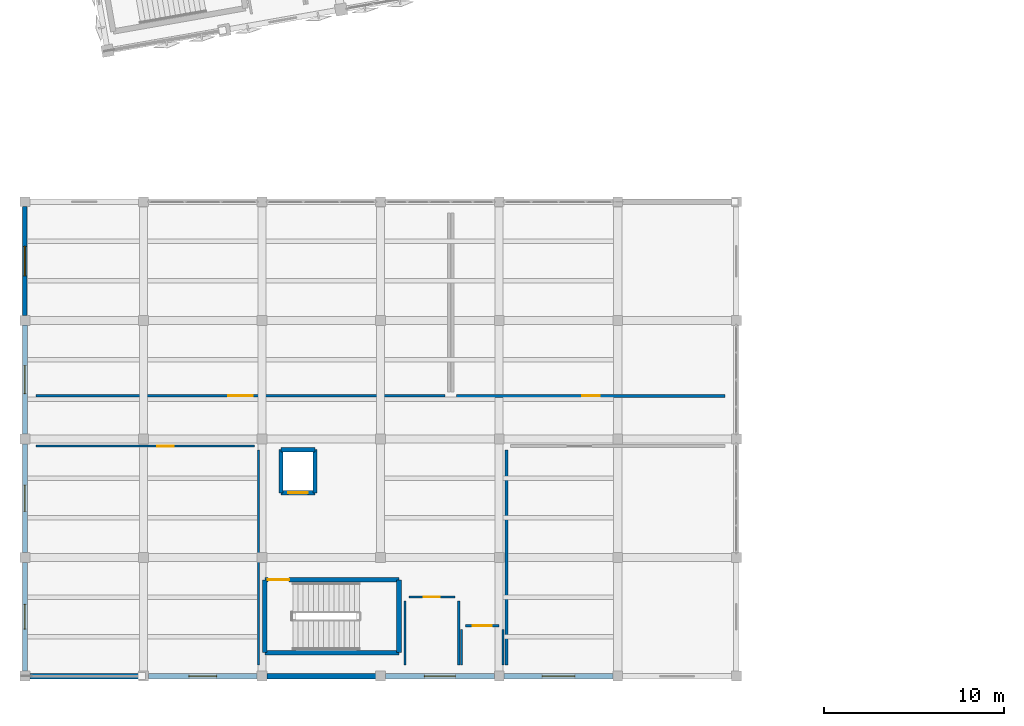
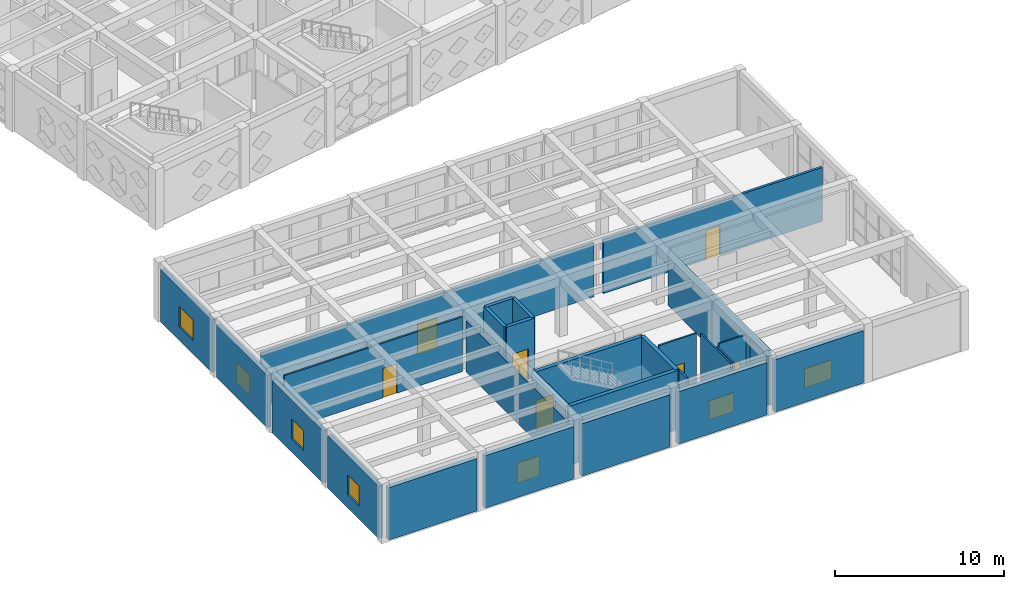
# One storey, part 36 of 48: 28 walls, 7 doors, 7 windows, 14 openings.
"""IFC4 building model written with IfcOpenShell, lengths in metres."""

from ifc_helpers import new_model, si_unit, direction, frame, frame_2d, origin, place, context, subcontext, project, spatial, rectangle, extrude, material, layer, layer_set, type_object, element, fill, save


model = new_model("IFC4")

# Units and contexts
model_context = context("Model", 3, precision=1e-05, world=origin(), true_north=direction((0.0, 1.0)))
body_context = subcontext(model_context, "Body", "Model", "MODEL_VIEW")
ifc_project = project(units=[si_unit("LENGTHUNIT", "METRE"), si_unit("AREAUNIT", "SQUARE_METRE"), si_unit("VOLUMEUNIT", "CUBIC_METRE"), si_unit("PLANEANGLEUNIT", "RADIAN"), si_unit("MASSUNIT", "GRAM", prefix="KILO")], contexts=[model_context])

# Site, building, storey
site_placement = place(None, origin())
site = spatial("IfcSite", under=ifc_project, at=site_placement, CompositionType="ELEMENT")
building_placement = place(site_placement, origin())
building = spatial("IfcBuilding", under=site, at=building_placement, Name="Kharisveld Research Institute", CompositionType="ELEMENT")
storey_placement = place(building_placement, frame((0.0, 0.0, 14.10009765625)))
storey = spatial("IfcBuildingStorey", under=building, at=storey_placement, Name="L03", CompositionType="ELEMENT", Elevation=14.10009765625)

# Wall, opening, door
ifc_material_1 = material(Name="Flush Pharmaceutical Panel", Category="mineral")
ifc_layer_1 = layer(ifc_material_1, 0.155029296875)
ifc_layer_set_1 = layer_set([ifc_layer_1], Name="WL_CLN_155")
wall_type_1 = type_object("IfcWallType", Name="WL_CLN_155", PredefinedType="PARTITIONING", material=ifc_layer_set_1)
wall_1_placement = place(storey_placement, frame((1.219970703125, 15.800048828125, 0.0), z_axis=(0.0, 0.0, 1.0), x_axis=(1.0, 0.0, 0.0)))
wall_1 = element("IfcWall", 1, at=wall_1_placement, inside=storey, type_object=wall_type_1, Name="WL:RM:V3:L03:CR7:S", PredefinedType="PARTITIONING", context=body_context, shape_type="SweptSolid", body=[
    extrude(rectangle(XDim=22.760009765625, YDim=0.155029296875, at=frame_2d((11.3798828125, 0.0))), origin(), (0.0, 0.0, 1.0), 3.885009765625),
])
opening_1_placement = place(wall_1_placement, frame((10.7099609375, 0.0, 0.0)))
opening_1 = element("IfcOpeningElement", 2, at=opening_1_placement, cuts=wall_1, Name="Opening DI-290", PredefinedType="OPENING", context=body_context, shape_type="SweptSolid", body=[
    extrude(rectangle(XDim=1.340087890625, YDim=2.199951171875, at=frame_2d((0.669921875, 1.10009765625))), frame((0.0, 0.07763671875, 0.0), z_axis=(0.0, -1.0, 0.0), x_axis=(1.0, 0.0, 0.0)), (0.0, 0.0, 1.0), 0.155029296875),
])
ifc_material_2 = material(Name="Flush Painted Hardwood and Anodised Aluminium", Category="wood")
door_type_1 = type_object("IfcDoorType", Name="DR_CLN_134", OperationType="SLIDING_TO_RIGHT", PredefinedType="DOOR", material=ifc_material_2)
door_1_placement = place(opening_1_placement, origin())
door_1 = element("IfcDoor", 3, at=door_1_placement, inside=storey, type_object=door_type_1, Name="DR:RM:V3:L03:CR7:S", OperationType="SLIDING_TO_RIGHT", OverallHeight=2.199951171875, OverallWidth=1.340087890625, PredefinedType="DOOR", context=body_context, shape_type="SweptSolid", body=[
    extrude(rectangle(XDim=1.340087890625, YDim=2.199951171875, at=frame_2d((0.669921875, 1.10009765625))), frame((0.0, 0.02490234375, 0.0), z_axis=(0.0, -1.0, 0.0), x_axis=(1.0, 0.0, 0.0)), (0.0, 0.0, 1.0), 0.050048828125),
])
fill(opening_1, door_1)

# Walls
ifc_material_3 = material(Name="Concrete C40/50", Category="concrete")
ifc_layer_2 = layer(ifc_material_3, 0.239990234375)
ifc_layer_set_2 = layer_set([ifc_layer_2], Name="WL_CORE_240")
wall_type_2 = type_object("IfcWallType", Name="WL_CORE_240", PredefinedType="SHEAR", material=ifc_layer_set_2)
wall_2_placement = place(storey_placement, frame((14.85009765625, 10.39990234375, 0.0), z_axis=(0.0, 0.0, 1.0), x_axis=(0.0, 1.0, 0.0)))
element("IfcWall", 4, at=wall_2_placement, inside=storey, type_object=wall_type_2, Name="WL:LFT:PL-03:L03:W", PredefinedType="SHEAR", context=body_context, shape_type="SweptSolid", body=[
    extrude(rectangle(XDim=2.400146484375, YDim=0.239990234375, at=frame_2d((1.2001953125, 0.0))), origin(), (0.0, 0.0, 1.0), 4.27978515625),
])
wall_3_placement = place(storey_placement, frame((14.85009765625, 12.800048828125, 0.0), z_axis=(0.0, 0.0, 1.0), x_axis=(1.0, 0.0, 0.0)))
element("IfcWall", 5, at=wall_3_placement, inside=storey, type_object=wall_type_2, Name="WL:LFT:PL-03:L03:N", PredefinedType="SHEAR", context=body_context, shape_type="SweptSolid", body=[
    extrude(rectangle(XDim=1.89990234375, YDim=0.239990234375, at=frame_2d((0.949951171875, 0.0))), origin(), (0.0, 0.0, 1.0), 4.27978515625),
])
wall_4_placement = place(storey_placement, frame((16.75, 12.800048828125, 0.0), z_axis=(0.0, 0.0, 1.0), x_axis=(0.0, -1.0, 0.0)))
element("IfcWall", 6, at=wall_4_placement, inside=storey, type_object=wall_type_2, Name="WL:LFT:PL-03:L03:E", PredefinedType="SHEAR", context=body_context, shape_type="SweptSolid", body=[
    extrude(rectangle(XDim=2.400146484375, YDim=0.239990234375, at=frame_2d((1.2001953125, 0.0))), origin(), (0.0, 0.0, 1.0), 4.27978515625),
])

# Wall, opening, door
wall_5_placement = place(storey_placement, frame((16.75, 10.39990234375, 0.0), z_axis=(0.0, 0.0, 1.0), x_axis=(-1.0, 0.0, 0.0)))
wall_5 = element("IfcWall", 7, at=wall_5_placement, inside=storey, type_object=wall_type_2, Name="WL:LFT:PL-03:L03:S", PredefinedType="SHEAR", context=body_context, shape_type="SweptSolid", body=[
    extrude(rectangle(XDim=1.89990234375, YDim=0.239990234375, at=frame_2d((0.949951171875, 0.0))), origin(), (0.0, 0.0, 1.0), 4.27978515625),
])
opening_2_placement = place(wall_5_placement, frame((0.39990234375, 0.0, 0.0)))
opening_2 = element("IfcOpeningElement", 8, at=opening_2_placement, cuts=wall_5, Name="Opening LD-01", PredefinedType="OPENING", context=body_context, shape_type="SweptSolid", body=[
    extrude(rectangle(XDim=1.10009765625, YDim=2.199951171875, at=frame_2d((0.550048828125, 1.10009765625))), frame((0.0, 0.1201171875, 0.0), z_axis=(0.0, -1.0, 0.0), x_axis=(1.0, 0.0, 0.0)), (0.0, 0.0, 1.0), 0.239990234375),
])
ifc_material_4 = material(Name="Flush Painted Hardwood and Anodised Aluminium", Category="wood")
door_type_2 = type_object("IfcDoorType", Name="DR_LFT_110", OperationType="SLIDING_TO_LEFT", PredefinedType="DOOR", material=ifc_material_4)
door_2_placement = place(opening_2_placement, origin())
door_2 = element("IfcDoor", 9, at=door_2_placement, inside=storey, type_object=door_type_2, Name="PL-03 Lift Landing Door L03", OperationType="SLIDING_TO_LEFT", OverallHeight=2.199951171875, OverallWidth=1.10009765625, PredefinedType="DOOR", context=body_context, shape_type="SweptSolid", body=[
    extrude(rectangle(XDim=1.10009765625, YDim=2.199951171875, at=frame_2d((0.550048828125, 1.10009765625))), frame((0.0, 0.02490234375, 0.0), z_axis=(0.0, -1.0, 0.0), x_axis=(1.0, 0.0, 0.0)), (0.0, 0.0, 1.0), 0.050048828125),
])
fill(opening_2, door_2)

# Wall
ifc_material_5 = material(Name="Concrete C40/50", Category="concrete")
ifc_layer_3 = layer(ifc_material_5, 0.27001953125)
ifc_layer_set_3 = layer_set([ifc_layer_3], Name="WL_CORE_270")
wall_type_3 = type_object("IfcWallType", Name="WL_CORE_270", PredefinedType="SHEAR", material=ifc_layer_set_3)
wall_6_placement = place(storey_placement, frame((13.949951171875, 1.5, 0.0), z_axis=(0.0, 0.0, 1.0), x_axis=(0.0, 1.0, 0.0)))
element("IfcWall", 10, at=wall_6_placement, inside=storey, type_object=wall_type_3, Name="WL:STR:ST4:L03:W", PredefinedType="SHEAR", context=body_context, shape_type="SweptSolid", body=[
    extrude(rectangle(XDim=4.06005859375, YDim=0.27001953125, at=frame_2d((2.030029296875, 0.0))), origin(), (0.0, 0.0, 1.0), 4.27978515625),
])

# Wall, opening, door
wall_7_placement = place(storey_placement, frame((13.949951171875, 5.56005859375, 0.0), z_axis=(0.0, 0.0, 1.0), x_axis=(1.0, 0.0, 0.0)))
wall_7 = element("IfcWall", 11, at=wall_7_placement, inside=storey, type_object=wall_type_3, Name="WL:STR:ST4:L03:N", PredefinedType="SHEAR", context=body_context, shape_type="SweptSolid", body=[
    extrude(rectangle(XDim=7.469970703125, YDim=0.27001953125, at=frame_2d((3.73486328125, 0.0))), origin(), (0.0, 0.0, 1.0), 4.27978515625),
])
opening_3_placement = place(wall_7_placement, frame((0.179931640625, 0.0, 0.0)))
opening_3 = element("IfcOpeningElement", 12, at=opening_3_placement, cuts=wall_7, Name="Opening DS-040", PredefinedType="OPENING", context=body_context, shape_type="SweptSolid", body=[
    extrude(rectangle(XDim=1.179931640625, YDim=2.14990234375, at=frame_2d((0.58984375, 1.074951171875))), frame((0.0, 0.135009765625, 0.0), z_axis=(0.0, -1.0, 0.0), x_axis=(1.0, 0.0, 0.0)), (0.0, 0.0, 1.0), 0.27001953125),
])
ifc_material_6 = material(Name="Flush Painted Hardwood and Anodised Aluminium", Category="wood")
door_type_3 = type_object("IfcDoorType", Name="DR_FD60_118", OperationType="NOTDEFINED", PredefinedType="DOOR", material=ifc_material_6)
door_3_placement = place(opening_3_placement, origin())
door_3 = element("IfcDoor", 13, at=door_3_placement, inside=storey, type_object=door_type_3, Name="DR:STR:ST4:L03", OperationType="SINGLE_SWING_RIGHT", OverallHeight=2.14990234375, OverallWidth=1.179931640625, PredefinedType="DOOR", context=body_context, shape_type="SweptSolid", body=[
    extrude(rectangle(XDim=1.179931640625, YDim=2.14990234375, at=frame_2d((0.58984375, 1.074951171875))), frame((0.0, 0.02490234375, 0.0), z_axis=(0.0, -1.0, 0.0), x_axis=(1.0, 0.0, 0.0)), (0.0, 0.0, 1.0), 0.050048828125),
])
fill(opening_3, door_3)

# Walls
wall_8_placement = place(storey_placement, frame((21.419921875, 5.56005859375, 0.0), z_axis=(0.0, 0.0, 1.0), x_axis=(0.0, -1.0, 0.0)))
element("IfcWall", 14, at=wall_8_placement, inside=storey, type_object=wall_type_3, Name="WL:STR:ST4:L03:E", PredefinedType="SHEAR", context=body_context, shape_type="SweptSolid", body=[
    extrude(rectangle(XDim=4.06005859375, YDim=0.27001953125, at=frame_2d((2.030029296875, 0.0))), origin(), (0.0, 0.0, 1.0), 4.27978515625),
])
wall_9_placement = place(storey_placement, frame((21.419921875, 1.5, 0.0), z_axis=(0.0, 0.0, 1.0), x_axis=(-1.0, 0.0, 0.0)))
element("IfcWall", 15, at=wall_9_placement, inside=storey, type_object=wall_type_3, Name="WL:STR:ST4:L03:S", PredefinedType="SHEAR", context=body_context, shape_type="SweptSolid", body=[
    extrude(rectangle(XDim=7.469970703125, YDim=0.27001953125, at=frame_2d((3.73486328125, 0.0))), origin(), (0.0, 0.0, 1.0), 4.27978515625),
])

# Wall, opening, window
ifc_material_7 = material(Name="Lightweight Acoustic Spandrel", Category="mineral")
ifc_layer_4 = layer(ifc_material_7, 0.2451171875)
ifc_layer_set_4 = layer_set([ifc_layer_4], Name="WL_EXT_245")
wall_type_4 = type_object("IfcWallType", Name="WL_EXT_245", PredefinedType="STANDARD", material=ifc_layer_set_4)
wall_10_placement = place(storey_placement, frame((0.60009765625, 20.27001953125, 0.0), z_axis=(0.0, 0.0, 1.0), x_axis=(0.0, 1.0, 0.0)))
wall_10 = element("IfcWall", 16, at=wall_10_placement, inside=storey, type_object=wall_type_4, Name="WL:V3:L03:W3", PredefinedType="STANDARD", context=body_context, shape_type="SweptSolid", body=[
    extrude(rectangle(XDim=6.06005859375, YDim=0.2451171875, at=frame_2d((3.030029296875, 0.0))), origin(), (0.0, 0.0, 1.0), 3.784912109375),
])
opening_4_placement = place(wall_10_placement, frame((2.2099609375, 0.0, 0.949951171875)))
opening_4 = element("IfcOpeningElement", 17, at=opening_4_placement, cuts=wall_10, Name="Opening WN-26", PredefinedType="OPENING", context=body_context, shape_type="SweptSolid", body=[
    extrude(rectangle(XDim=1.639892578125, YDim=1.47998046875, at=frame_2d((0.81982421875, 0.739990234375))), frame((0.0, 0.12255859375, 0.0), z_axis=(0.0, -1.0, 0.0), x_axis=(1.0, 0.0, 0.0)), (0.0, 0.0, 1.0), 0.2451171875),
])
ifc_material_8 = material(Name="Low-E Double Glazing", Category="glass")
window_type_1 = type_object("IfcWindowType", Name="WN_26", PartitioningType="DOUBLE_PANEL_VERTICAL", PredefinedType="WINDOW", material=ifc_material_8)
window_1_placement = place(opening_4_placement, origin())
window_1 = element("IfcWindow", 18, at=window_1_placement, inside=storey, type_object=window_type_1, Name="WN:V3:L03:W3", OverallHeight=1.47998046875, OverallWidth=1.639892578125, PartitioningType="SINGLE_PANEL", PredefinedType="WINDOW", context=body_context, shape_type="SweptSolid", body=[
    extrude(rectangle(XDim=1.639892578125, YDim=1.47998046875, at=frame_2d((0.81982421875, 0.739990234375))), frame((0.0, 0.030029296875, 0.0), z_axis=(0.0, -1.0, 0.0), x_axis=(1.0, 0.0, 0.0)), (0.0, 0.0, 1.0), 0.06005859375),
])
fill(opening_4, window_1)

ifc_material_9 = material(Name="Precast Concrete C40/50 Thermal Wall", Category="concrete")
ifc_layer_5 = layer(ifc_material_9, 0.260009765625)
ifc_layer_set_5 = layer_set([ifc_layer_5], Name="WL_EXT_260")
wall_type_5 = type_object("IfcWallType", Name="WL_EXT_260", PredefinedType="STANDARD", material=ifc_layer_set_5)
wall_11_placement = place(storey_placement, frame((0.60009765625, 13.669921875, 0.0), z_axis=(0.0, 0.0, 1.0), x_axis=(0.0, 1.0, 0.0)))
wall_11 = element("IfcWall", 19, at=wall_11_placement, inside=storey, type_object=wall_type_5, Name="WL:V3:L03:W2", PredefinedType="STANDARD", context=body_context, shape_type="SweptSolid", body=[
    extrude(rectangle(XDim=6.06005859375, YDim=0.260009765625, at=frame_2d((3.030029296875, 0.0))), origin(), (0.0, 0.0, 1.0), 3.784912109375),
])
opening_5_placement = place(wall_11_placement, frame((2.2548828125, 0.0, 0.949951171875)))
opening_5 = element("IfcOpeningElement", 20, at=opening_5_placement, cuts=wall_11, Name="Opening WN-25", PredefinedType="OPENING", context=body_context, shape_type="SweptSolid", body=[
    extrude(rectangle(XDim=1.550048828125, YDim=1.4599609375, at=frame_2d((0.77490234375, 0.72998046875))), frame((0.0, 0.1298828125, 0.0), z_axis=(0.0, -1.0, 0.0), x_axis=(1.0, 0.0, 0.0)), (0.0, 0.0, 1.0), 0.260009765625),
])
ifc_material_10 = material(Name="Low-E Double Glazing", Category="glass")
window_type_2 = type_object("IfcWindowType", Name="WN_25", PartitioningType="DOUBLE_PANEL_VERTICAL", PredefinedType="WINDOW", material=ifc_material_10)
window_2_placement = place(opening_5_placement, origin())
window_2 = element("IfcWindow", 21, at=window_2_placement, inside=storey, type_object=window_type_2, Name="WN:V3:L03:W2", OverallHeight=1.4599609375, OverallWidth=1.550048828125, PartitioningType="SINGLE_PANEL", PredefinedType="WINDOW", context=body_context, shape_type="SweptSolid", body=[
    extrude(rectangle(XDim=1.550048828125, YDim=1.4599609375, at=frame_2d((0.77490234375, 0.72998046875))), frame((0.0, 0.030029296875, 0.0), z_axis=(0.0, -1.0, 0.0), x_axis=(1.0, 0.0, 0.0)), (0.0, 0.0, 1.0), 0.06005859375),
])
fill(opening_5, window_2)

ifc_material_11 = material(Name="Precast Concrete C40/50 Thermal Wall", Category="concrete")
ifc_layer_6 = layer(ifc_material_11, 0.27490234375)
ifc_layer_set_6 = layer_set([ifc_layer_6], Name="WL_EXT_275")
wall_type_6 = type_object("IfcWallType", Name="WL_EXT_275", PredefinedType="STANDARD", material=ifc_layer_set_6)
wall_12_placement = place(storey_placement, frame((0.60009765625, 7.070068359375, 0.0), z_axis=(0.0, 0.0, 1.0), x_axis=(0.0, 1.0, 0.0)))
wall_12 = element("IfcWall", 22, at=wall_12_placement, inside=storey, type_object=wall_type_6, Name="WL:V3:L03:W1", PredefinedType="STANDARD", context=body_context, shape_type="SweptSolid", body=[
    extrude(rectangle(XDim=6.059814453125, YDim=0.27490234375, at=frame_2d((3.02978515625, 0.0))), origin(), (0.0, 0.0, 1.0), 3.784912109375),
])
opening_6_placement = place(wall_12_placement, frame((2.300048828125, 0.0, 0.949951171875)))
opening_6 = element("IfcOpeningElement", 23, at=opening_6_placement, cuts=wall_12, Name="Opening WN-24", PredefinedType="OPENING", context=body_context, shape_type="SweptSolid", body=[
    extrude(rectangle(XDim=1.4599609375, YDim=1.43994140625, at=frame_2d((0.72998046875, 0.719970703125))), frame((0.0, 0.137451171875, 0.0), z_axis=(0.0, -1.0, 0.0), x_axis=(1.0, 0.0, 0.0)), (0.0, 0.0, 1.0), 0.27490234375),
])
ifc_material_12 = material(Name="Low-E Double Glazing", Category="glass")
window_type_3 = type_object("IfcWindowType", Name="WN_24", PartitioningType="DOUBLE_PANEL_VERTICAL", PredefinedType="WINDOW", material=ifc_material_12)
window_3_placement = place(opening_6_placement, origin())
window_3 = element("IfcWindow", 24, at=window_3_placement, inside=storey, type_object=window_type_3, Name="WN:V3:L03:W1", OverallHeight=1.43994140625, OverallWidth=1.4599609375, PartitioningType="SINGLE_PANEL", PredefinedType="WINDOW", context=body_context, shape_type="SweptSolid", body=[
    extrude(rectangle(XDim=1.4599609375, YDim=1.43994140625, at=frame_2d((0.72998046875, 0.719970703125))), frame((0.0, 0.030029296875, 0.0), z_axis=(0.0, -1.0, 0.0), x_axis=(1.0, 0.0, 0.0)), (0.0, 0.0, 1.0), 0.06005859375),
])
fill(opening_6, window_3)

ifc_material_13 = material(Name="Precast Concrete C40/50 Thermal Wall", Category="concrete")
ifc_layer_7 = layer(ifc_material_13, 0.2900390625)
ifc_layer_set_7 = layer_set([ifc_layer_7], Name="WL_EXT_290")
wall_type_7 = type_object("IfcWallType", Name="WL_EXT_290", PredefinedType="STANDARD", material=ifc_layer_set_7)
wall_13_placement = place(storey_placement, frame((0.60009765625, 0.469970703125, 0.0), z_axis=(0.0, 0.0, 1.0), x_axis=(0.0, 1.0, 0.0)))
wall_13 = element("IfcWall", 25, at=wall_13_placement, inside=storey, type_object=wall_type_7, Name="WL:V3:L03:W0", PredefinedType="STANDARD", context=body_context, shape_type="SweptSolid", body=[
    extrude(rectangle(XDim=6.06005859375, YDim=0.2900390625, at=frame_2d((3.030029296875, 0.0))), origin(), (0.0, 0.0, 1.0), 3.784912109375),
])
opening_7_placement = place(wall_13_placement, frame((2.344970703125, 0.0, 0.949951171875)))
opening_7 = element("IfcOpeningElement", 26, at=opening_7_placement, cuts=wall_13, Name="Opening WN-23", PredefinedType="OPENING", context=body_context, shape_type="SweptSolid", body=[
    extrude(rectangle(XDim=1.3701171875, YDim=1.419921875, at=frame_2d((0.68505859375, 0.7099609375))), frame((0.0, 0.14501953125, 0.0), z_axis=(0.0, -1.0, 0.0), x_axis=(1.0, 0.0, 0.0)), (0.0, 0.0, 1.0), 0.2900390625),
])
ifc_material_14 = material(Name="Low-E Double Glazing", Category="glass")
window_type_4 = type_object("IfcWindowType", Name="WN_23", PartitioningType="DOUBLE_PANEL_VERTICAL", PredefinedType="WINDOW", material=ifc_material_14)
window_4_placement = place(opening_7_placement, origin())
window_4 = element("IfcWindow", 27, at=window_4_placement, inside=storey, type_object=window_type_4, Name="WN:V3:L03:W0", OverallHeight=1.419921875, OverallWidth=1.3701171875, PartitioningType="SINGLE_PANEL", PredefinedType="WINDOW", context=body_context, shape_type="SweptSolid", body=[
    extrude(rectangle(XDim=1.3701171875, YDim=1.419921875, at=frame_2d((0.68505859375, 0.7099609375))), frame((0.0, 0.030029296875, 0.0), z_axis=(0.0, -1.0, 0.0), x_axis=(1.0, 0.0, 0.0)), (0.0, 0.0, 1.0), 0.06005859375),
])
fill(opening_7, window_4)

ifc_material_15 = material(Name="Precast Concrete C40/50 Ochre Panel", Category="concrete")
ifc_layer_8 = layer(ifc_material_15, 0.304931640625)
ifc_layer_set_8 = layer_set([ifc_layer_8], Name="WL_EXT_305")
wall_type_8 = type_object("IfcWallType", Name="WL_EXT_305", PredefinedType="STANDARD", material=ifc_layer_set_8)
wall_14_placement = place(storey_placement, frame((33.330078125, 0.199951171875, 0.0), z_axis=(0.0, 0.0, 1.0), x_axis=(-1.0, 0.0, 0.0)))
wall_14 = element("IfcWall", 28, at=wall_14_placement, inside=storey, type_object=wall_type_8, Name="WL:V3:L03:S5", PredefinedType="STANDARD", context=body_context, shape_type="SweptSolid", body=[
    extrude(rectangle(XDim=6.06005859375, YDim=0.304931640625, at=frame_2d((3.030029296875, 0.0))), origin(), (0.0, 0.0, 1.0), 3.784912109375),
])
opening_8_placement = place(wall_14_placement, frame((2.1201171875, 0.0, 0.949951171875)))
opening_8 = element("IfcOpeningElement", 29, at=opening_8_placement, cuts=wall_14, Name="Opening WN-28", PredefinedType="OPENING", context=body_context, shape_type="SweptSolid", body=[
    extrude(rectangle(XDim=1.820068359375, YDim=1.3798828125, at=frame_2d((0.91015625, 0.68994140625))), frame((0.0, 0.15234375, 0.0), z_axis=(0.0, -1.0, 0.0), x_axis=(1.0, 0.0, 0.0)), (0.0, 0.0, 1.0), 0.304931640625),
])
ifc_material_16 = material(Name="Low-E Double Glazing", Category="glass")
window_type_5 = type_object("IfcWindowType", Name="WN_28", PartitioningType="DOUBLE_PANEL_VERTICAL", PredefinedType="WINDOW", material=ifc_material_16)
window_5_placement = place(opening_8_placement, origin())
window_5 = element("IfcWindow", 30, at=window_5_placement, inside=storey, type_object=window_type_5, Name="WN:V3:L03:S5", OverallHeight=1.3798828125, OverallWidth=1.820068359375, PartitioningType="SINGLE_PANEL", PredefinedType="WINDOW", context=body_context, shape_type="SweptSolid", body=[
    extrude(rectangle(XDim=1.820068359375, YDim=1.3798828125, at=frame_2d((0.91015625, 0.68994140625))), frame((0.0, 0.030029296875, 0.0), z_axis=(0.0, -1.0, 0.0), x_axis=(1.0, 0.0, 0.0)), (0.0, 0.0, 1.0), 0.06005859375),
])
fill(opening_8, window_5)

wall_15_placement = place(storey_placement, frame((26.72998046875, 0.199951171875, 0.0), z_axis=(0.0, 0.0, 1.0), x_axis=(-1.0, 0.0, 0.0)))
wall_15 = element("IfcWall", 31, at=wall_15_placement, inside=storey, type_object=wall_type_8, Name="WL:V3:L03:S4", PredefinedType="STANDARD", context=body_context, shape_type="SweptSolid", body=[
    extrude(rectangle(XDim=6.06005859375, YDim=0.304931640625, at=frame_2d((3.030029296875, 0.0))), origin(), (0.0, 0.0, 1.0), 3.784912109375),
])
opening_9_placement = place(wall_15_placement, frame((2.1650390625, 0.0, 0.949951171875)))
opening_9 = element("IfcOpeningElement", 32, at=opening_9_placement, cuts=wall_15, Name="Opening WN-27", PredefinedType="OPENING", context=body_context, shape_type="SweptSolid", body=[
    extrude(rectangle(XDim=1.72998046875, YDim=1.360107421875, at=frame_2d((0.864990234375, 0.68017578125))), frame((0.0, 0.15234375, 0.0), z_axis=(0.0, -1.0, 0.0), x_axis=(1.0, 0.0, 0.0)), (0.0, 0.0, 1.0), 0.304931640625),
])
ifc_material_17 = material(Name="Low-E Double Glazing", Category="glass")
window_type_6 = type_object("IfcWindowType", Name="WN_27", PartitioningType="DOUBLE_PANEL_VERTICAL", PredefinedType="WINDOW", material=ifc_material_17)
window_6_placement = place(opening_9_placement, origin())
window_6 = element("IfcWindow", 33, at=window_6_placement, inside=storey, type_object=window_type_6, Name="WN:V3:L03:S4", OverallHeight=1.360107421875, OverallWidth=1.72998046875, PartitioningType="SINGLE_PANEL", PredefinedType="WINDOW", context=body_context, shape_type="SweptSolid", body=[
    extrude(rectangle(XDim=1.72998046875, YDim=1.360107421875, at=frame_2d((0.864990234375, 0.68017578125))), frame((0.0, 0.030029296875, 0.0), z_axis=(0.0, -1.0, 0.0), x_axis=(1.0, 0.0, 0.0)), (0.0, 0.0, 1.0), 0.06005859375),
])
fill(opening_9, window_6)

# Wall
wall_16_placement = place(storey_placement, frame((20.1298828125, 0.199951171875, 0.0), z_axis=(0.0, 0.0, 1.0), x_axis=(-1.0, 0.0, 0.0)))
element("IfcWall", 34, at=wall_16_placement, inside=storey, type_object=wall_type_8, Name="WL:V3:L03:S3", PredefinedType="STANDARD", context=body_context, shape_type="SweptSolid", body=[
    extrude(rectangle(XDim=6.059814453125, YDim=0.304931640625, at=frame_2d((3.02978515625, 0.0))), origin(), (0.0, 0.0, 1.0), 3.784912109375),
])

# Wall, opening, window
wall_17_placement = place(storey_placement, frame((13.530029296875, 0.199951171875, 0.0), z_axis=(0.0, 0.0, 1.0), x_axis=(-1.0, 0.0, 0.0)))
wall_17 = element("IfcWall", 35, at=wall_17_placement, inside=storey, type_object=wall_type_8, Name="WL:V3:L03:S2", PredefinedType="STANDARD", context=body_context, shape_type="SweptSolid", body=[
    extrude(rectangle(XDim=6.06005859375, YDim=0.304931640625, at=frame_2d((3.030029296875, 0.0))), origin(), (0.0, 0.0, 1.0), 3.784912109375),
])
opening_10_placement = place(wall_17_placement, frame((2.2548828125, 0.0, 0.949951171875)))
opening_10 = element("IfcOpeningElement", 36, at=opening_10_placement, cuts=wall_17, Name="Opening WN-25", PredefinedType="OPENING", context=body_context, shape_type="SweptSolid", body=[
    extrude(rectangle(XDim=1.550048828125, YDim=1.4599609375, at=frame_2d((0.77490234375, 0.72998046875))), frame((0.0, 0.15234375, 0.0), z_axis=(0.0, -1.0, 0.0), x_axis=(1.0, 0.0, 0.0)), (0.0, 0.0, 1.0), 0.304931640625),
])
window_7_placement = place(opening_10_placement, origin())
window_7 = element("IfcWindow", 37, at=window_7_placement, inside=storey, type_object=window_type_2, Name="WN:V3:L03:S2", OverallHeight=1.4599609375, OverallWidth=1.550048828125, PartitioningType="SINGLE_PANEL", PredefinedType="WINDOW", context=body_context, shape_type="SweptSolid", body=[
    extrude(rectangle(XDim=1.550048828125, YDim=1.4599609375, at=frame_2d((0.77490234375, 0.72998046875))), frame((0.0, 0.030029296875, 0.0), z_axis=(0.0, -1.0, 0.0), x_axis=(1.0, 0.0, 0.0)), (0.0, 0.0, 1.0), 0.06005859375),
])
fill(opening_10, window_7)

# Wall
wall_18_placement = place(storey_placement, frame((6.929931640625, 0.199951171875, 0.0), z_axis=(0.0, 0.0, 1.0), x_axis=(-1.0, 0.0, 0.0)))
element("IfcWall", 38, at=wall_18_placement, inside=storey, type_object=wall_type_8, Name="WL:V3:L03:S1", PredefinedType="STANDARD", context=body_context, shape_type="SweptSolid", body=[
    extrude(rectangle(XDim=6.059814453125, YDim=0.304931640625, at=frame_2d((3.02978515625, 0.0))), origin(), (0.0, 0.0, 1.0), 3.784912109375),
])

# Wall, opening, door
ifc_material_18 = material(Name="Acoustic Drywall Partition", Category="mineral")
ifc_layer_9 = layer(ifc_material_18, 0.1650390625)
ifc_layer_set_9 = layer_set([ifc_layer_9], Name="WL_LAB_165")
wall_type_9 = type_object("IfcWallType", Name="WL_LAB_165", PredefinedType="PARTITIONING", material=ifc_layer_set_9)
wall_19_placement = place(storey_placement, frame((24.6201171875, 15.800048828125, 0.0), z_axis=(0.0, 0.0, 1.0), x_axis=(1.0, 0.0, 0.0)))
wall_19 = element("IfcWall", 39, at=wall_19_placement, inside=storey, type_object=wall_type_9, Name="WL:RM:V3:L03:MTR:S", PredefinedType="PARTITIONING", context=body_context, shape_type="SweptSolid", body=[
    extrude(rectangle(XDim=14.9599609375, YDim=0.1650390625, at=frame_2d((7.47998046875, 0.0))), origin(), (0.0, 0.0, 1.0), 3.885009765625),
])
opening_11_placement = place(wall_19_placement, frame((6.9951171875, 0.0, 0.0)))
opening_11 = element("IfcOpeningElement", 40, at=opening_11_placement, cuts=wall_19, Name="Opening DI-291", PredefinedType="OPENING", context=body_context, shape_type="SweptSolid", body=[
    extrude(rectangle(XDim=0.969970703125, YDim=2.1201171875, at=frame_2d((0.48486328125, 1.06005859375))), frame((0.0, 0.08251953125, 0.0), z_axis=(0.0, -1.0, 0.0), x_axis=(1.0, 0.0, 0.0)), (0.0, 0.0, 1.0), 0.1650390625),
])
ifc_material_19 = material(Name="Flush Painted Hardwood and Anodised Aluminium", Category="wood")
door_type_4 = type_object("IfcDoorType", Name="DR_VAR_03", OperationType="NOTDEFINED", PredefinedType="DOOR", material=ifc_material_19)
door_4_placement = place(opening_11_placement, origin())
door_4 = element("IfcDoor", 41, at=door_4_placement, inside=storey, type_object=door_type_4, Name="DR:RM:V3:L03:MTR:S", OperationType="SINGLE_SWING_RIGHT", OverallHeight=2.1201171875, OverallWidth=0.969970703125, PredefinedType="DOOR", context=body_context, shape_type="SweptSolid", body=[
    extrude(rectangle(XDim=0.969970703125, YDim=2.1201171875, at=frame_2d((0.48486328125, 1.06005859375))), frame((0.0, 0.02490234375, 0.0), z_axis=(0.0, -1.0, 0.0), x_axis=(1.0, 0.0, 0.0)), (0.0, 0.0, 1.0), 0.050048828125),
])
fill(opening_11, door_4)

# Walls
wall_20_placement = place(storey_placement, frame((27.39990234375, 12.780029296875, 0.0), z_axis=(0.0, 0.0, 1.0), x_axis=(0.0, -1.0, 0.0)))
element("IfcWall", 42, at=wall_20_placement, inside=storey, type_object=wall_type_9, Name="WL:RM:V3:L03:SEM:W", PredefinedType="PARTITIONING", context=body_context, shape_type="SweptSolid", body=[
    extrude(rectangle(XDim=11.9599609375, YDim=0.1650390625, at=frame_2d((5.97998046875, 0.0))), origin(), (0.0, 0.0, 1.0), 3.949951171875),
])
ifc_material_20 = material(Name="Insulated Stud Partition", Category="mineral")
ifc_layer_10 = layer(ifc_material_20, 0.125)
ifc_layer_set_10 = layer_set([ifc_layer_10], Name="WL_OFF_125")
wall_type_10 = type_object("IfcWallType", Name="WL_OFF_125", PredefinedType="PARTITIONING", material=ifc_layer_set_10)
wall_21_placement = place(storey_placement, frame((13.60009765625, 0.820068359375, 0.0), z_axis=(0.0, 0.0, 1.0), x_axis=(0.0, 1.0, 0.0)))
element("IfcWall", 43, at=wall_21_placement, inside=storey, type_object=wall_type_10, Name="WL:RM:V3:L03:WUC:E", PredefinedType="PARTITIONING", context=body_context, shape_type="SweptSolid", body=[
    extrude(rectangle(XDim=11.9599609375, YDim=0.125, at=frame_2d((5.97998046875, 0.0))), origin(), (0.0, 0.0, 1.0), 3.684814453125),
])

# Wall, opening, door
wall_22_placement = place(storey_placement, frame((13.3798828125, 13.0, 0.0), z_axis=(0.0, 0.0, 1.0), x_axis=(-1.0, 0.0, 0.0)))
wall_22 = element("IfcWall", 44, at=wall_22_placement, inside=storey, type_object=wall_type_10, Name="WL:RM:V3:L03:WUC:N", PredefinedType="PARTITIONING", context=body_context, shape_type="SweptSolid", body=[
    extrude(rectangle(XDim=12.159912109375, YDim=0.125, at=frame_2d((6.080078125, 0.0))), origin(), (0.0, 0.0, 1.0), 3.949951171875),
])
opening_12_placement = place(wall_22_placement, frame((4.488037109375, 0.0, 0.0)))
opening_12 = element("IfcOpeningElement", 45, at=opening_12_placement, cuts=wall_22, Name="Opening DI-292", PredefinedType="OPENING", context=body_context, shape_type="SweptSolid", body=[
    extrude(rectangle(XDim=0.93994140625, YDim=2.1201171875, at=frame_2d((0.469970703125, 1.06005859375))), frame((0.0, 0.0625, 0.0), z_axis=(0.0, -1.0, 0.0), x_axis=(1.0, 0.0, 0.0)), (0.0, 0.0, 1.0), 0.125),
])
ifc_material_21 = material(Name="Flush Painted Hardwood and Anodised Aluminium", Category="wood")
door_type_5 = type_object("IfcDoorType", Name="DR_OFF_094", OperationType="NOTDEFINED", PredefinedType="DOOR", material=ifc_material_21)
door_5_placement = place(opening_12_placement, origin())
door_5 = element("IfcDoor", 46, at=door_5_placement, inside=storey, type_object=door_type_5, Name="DR:RM:V3:L03:WUC:N", OperationType="SINGLE_SWING_LEFT", OverallHeight=2.1201171875, OverallWidth=0.93994140625, PredefinedType="DOOR", context=body_context, shape_type="SweptSolid", body=[
    extrude(rectangle(XDim=0.93994140625, YDim=2.1201171875, at=frame_2d((0.469970703125, 1.06005859375))), frame((0.0, 0.02490234375, 0.0), z_axis=(0.0, -1.0, 0.0), x_axis=(1.0, 0.0, 0.0)), (0.0, 0.0, 1.0), 0.050048828125),
])
fill(opening_12, door_5)

# Wall
ifc_material_22 = material(Name="Moisture-Resistant Partition", Category="mineral")
ifc_layer_11 = layer(ifc_material_22, 0.114990234375)
ifc_layer_set_11 = layer_set([ifc_layer_11], Name="WL_WC_115")
wall_type_11 = type_object("IfcWallType", Name="WL_WC_115", PredefinedType="PARTITIONING", material=ifc_layer_set_11)
wall_23_placement = place(storey_placement, frame((24.75, 0.820068359375, 0.0), z_axis=(0.0, 0.0, 1.0), x_axis=(0.0, 1.0, 0.0)))
element("IfcWall", 47, at=wall_23_placement, inside=storey, type_object=wall_type_11, Name="WL:RM:V3:L03:WCM:E", PredefinedType="PARTITIONING", context=body_context, shape_type="SweptSolid", body=[
    extrude(rectangle(XDim=3.559814453125, YDim=0.114990234375, at=frame_2d((1.77978515625, 0.0))), origin(), (0.0, 0.0, 1.0), 3.949951171875),
])

# Wall, opening, door
wall_24_placement = place(storey_placement, frame((24.530029296875, 4.60009765625, 0.0), z_axis=(0.0, 0.0, 1.0), x_axis=(-1.0, 0.0, 0.0)))
wall_24 = element("IfcWall", 48, at=wall_24_placement, inside=storey, type_object=wall_type_11, Name="WL:RM:V3:L03:WCM:N", PredefinedType="PARTITIONING", context=body_context, shape_type="SweptSolid", body=[
    extrude(rectangle(XDim=2.56005859375, YDim=0.114990234375, at=frame_2d((1.280029296875, 0.0))), origin(), (0.0, 0.0, 1.0), 3.949951171875),
])
opening_13_placement = place(wall_24_placement, frame((0.830078125, 0.0, 0.0)))
opening_13 = element("IfcOpeningElement", 49, at=opening_13_placement, cuts=wall_24, Name="Opening DI-288", PredefinedType="OPENING", context=body_context, shape_type="SweptSolid", body=[
    extrude(rectangle(XDim=0.89990234375, YDim=2.10009765625, at=frame_2d((0.449951171875, 1.050048828125))), frame((0.0, 0.0576171875, 0.0), z_axis=(0.0, -1.0, 0.0), x_axis=(1.0, 0.0, 0.0)), (0.0, 0.0, 1.0), 0.114990234375),
])
ifc_material_23 = material(Name="Flush Painted Hardwood and Anodised Aluminium", Category="wood")
door_type_6 = type_object("IfcDoorType", Name="DR_WC_090", OperationType="NOTDEFINED", PredefinedType="DOOR", material=ifc_material_23)
door_6_placement = place(opening_13_placement, origin())
door_6 = element("IfcDoor", 50, at=door_6_placement, inside=storey, type_object=door_type_6, Name="DR:RM:V3:L03:WCM:N", OperationType="SINGLE_SWING_RIGHT", OverallHeight=2.10009765625, OverallWidth=0.89990234375, PredefinedType="DOOR", context=body_context, shape_type="SweptSolid", body=[
    extrude(rectangle(XDim=0.89990234375, YDim=2.10009765625, at=frame_2d((0.449951171875, 1.050048828125))), frame((0.0, 0.02490234375, 0.0), z_axis=(0.0, -1.0, 0.0), x_axis=(1.0, 0.0, 0.0)), (0.0, 0.0, 1.0), 0.050048828125),
])
fill(opening_13, door_6)

# Walls
wall_25_placement = place(storey_placement, frame((21.75, 4.3798828125, 0.0), z_axis=(0.0, 0.0, 1.0), x_axis=(0.0, -1.0, 0.0)))
element("IfcWall", 51, at=wall_25_placement, inside=storey, type_object=wall_type_11, Name="WL:RM:V3:L03:WCM:W", PredefinedType="PARTITIONING", context=body_context, shape_type="SweptSolid", body=[
    extrude(rectangle(XDim=3.559814453125, YDim=0.114990234375, at=frame_2d((1.77978515625, 0.0))), origin(), (0.0, 0.0, 1.0), 3.949951171875),
])
wall_26_placement = place(storey_placement, frame((27.199951171875, 0.820068359375, 0.0), z_axis=(0.0, 0.0, 1.0), x_axis=(0.0, 1.0, 0.0)))
element("IfcWall", 52, at=wall_26_placement, inside=storey, type_object=wall_type_11, Name="WL:RM:V3:L03:WCA:E", PredefinedType="PARTITIONING", context=body_context, shape_type="SweptSolid", body=[
    extrude(rectangle(XDim=1.9599609375, YDim=0.114990234375, at=frame_2d((0.97998046875, 0.0))), origin(), (0.0, 0.0, 1.0), 3.684814453125),
])

# Wall, opening, door
wall_27_placement = place(storey_placement, frame((26.97998046875, 3.0, 0.0), z_axis=(0.0, 0.0, 1.0), x_axis=(-1.0, 0.0, 0.0)))
wall_27 = element("IfcWall", 53, at=wall_27_placement, inside=storey, type_object=wall_type_11, Name="WL:RM:V3:L03:WCA:N", PredefinedType="PARTITIONING", context=body_context, shape_type="SweptSolid", body=[
    extrude(rectangle(XDim=1.85986328125, YDim=0.114990234375, at=frame_2d((0.929931640625, 0.0))), origin(), (0.0, 0.0, 1.0), 3.949951171875),
])
opening_14_placement = place(wall_27_placement, frame((0.39990234375, 0.0, 0.0)))
opening_14 = element("IfcOpeningElement", 54, at=opening_14_placement, cuts=wall_27, Name="Opening DI-289", PredefinedType="OPENING", context=body_context, shape_type="SweptSolid", body=[
    extrude(rectangle(XDim=1.06005859375, YDim=2.1201171875, at=frame_2d((0.530029296875, 1.06005859375))), frame((0.0, 0.0576171875, 0.0), z_axis=(0.0, -1.0, 0.0), x_axis=(1.0, 0.0, 0.0)), (0.0, 0.0, 1.0), 0.114990234375),
])
ifc_material_24 = material(Name="Flush Painted Hardwood and Anodised Aluminium", Category="wood")
door_type_7 = type_object("IfcDoorType", Name="DR_WCA_106", OperationType="NOTDEFINED", PredefinedType="DOOR", material=ifc_material_24)
door_7_placement = place(opening_14_placement, origin())
door_7 = element("IfcDoor", 55, at=door_7_placement, inside=storey, type_object=door_type_7, Name="DR:RM:V3:L03:WCA:N", OperationType="SINGLE_SWING_LEFT", OverallHeight=2.1201171875, OverallWidth=1.06005859375, PredefinedType="DOOR", context=body_context, shape_type="SweptSolid", body=[
    extrude(rectangle(XDim=1.06005859375, YDim=2.1201171875, at=frame_2d((0.530029296875, 1.06005859375))), frame((0.0, 0.02490234375, 0.0), z_axis=(0.0, -1.0, 0.0), x_axis=(1.0, 0.0, 0.0)), (0.0, 0.0, 1.0), 0.050048828125),
])
fill(opening_14, door_7)

# Wall
wall_28_placement = place(storey_placement, frame((24.89990234375, 2.780029296875, 0.0), z_axis=(0.0, 0.0, 1.0), x_axis=(0.0, -1.0, 0.0)))
element("IfcWall", 56, at=wall_28_placement, inside=storey, type_object=wall_type_11, Name="WL:RM:V3:L03:WCA:W", PredefinedType="PARTITIONING", context=body_context, shape_type="SweptSolid", body=[
    extrude(rectangle(XDim=1.9599609375, YDim=0.114990234375, at=frame_2d((0.97998046875, 0.0))), origin(), (0.0, 0.0, 1.0), 3.949951171875),
])

save(model, "model.ifc")
